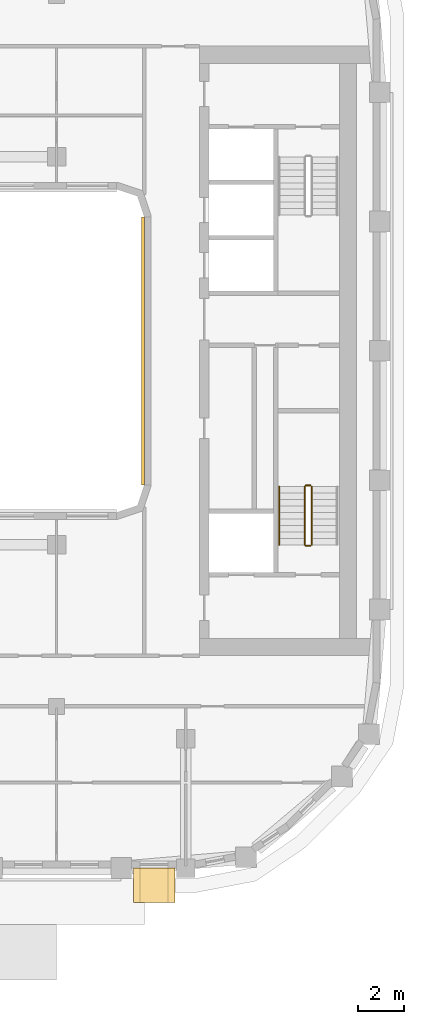
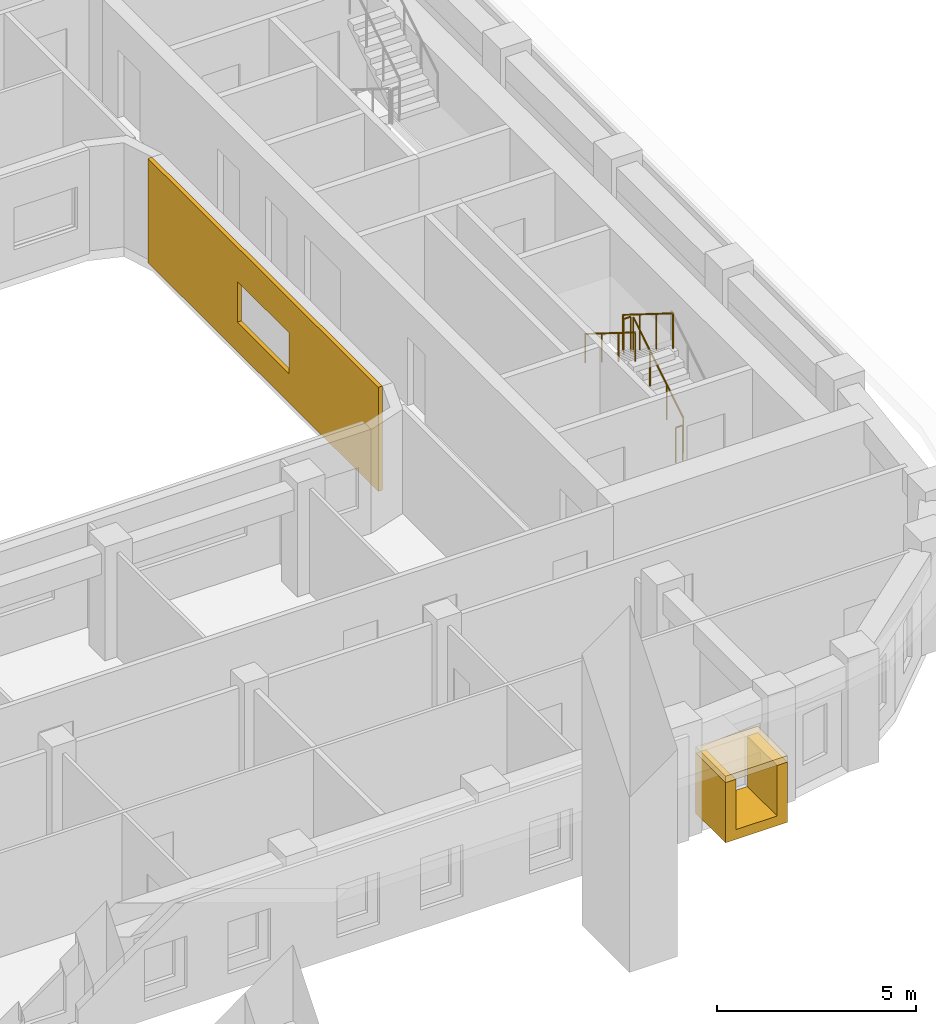
# One storey, part 13 of 18: 5 railings, 3 coverings.
"""IFC4 building model written with IfcOpenShell, lengths in metres."""

from ifc_helpers import new_model, si_unit, direction, frame, origin, origin_2d, place, context, subcontext, project, spatial, polyline, rectangle, circle, outline, extrude, material, layer, layer_set, type_object, element, save


model = new_model("IFC4")

# Units and contexts
model_context = context("Model", 3, precision=1e-05, world=origin(), true_north=direction((0.0, 1.0)))
body_context = subcontext(model_context, "Body", "Model", "MODEL_VIEW")
ifc_project = project(units=[si_unit("LENGTHUNIT", "METRE"), si_unit("AREAUNIT", "SQUARE_METRE"), si_unit("VOLUMEUNIT", "CUBIC_METRE"), si_unit("PLANEANGLEUNIT", "RADIAN"), si_unit("MASSUNIT", "GRAM", prefix="KILO")], contexts=[model_context])

# Site, building, storey
site_placement = place(None, origin())
site = spatial("IfcSite", under=ifc_project, at=site_placement, CompositionType="ELEMENT")
building_placement = place(site_placement, origin())
building = spatial("IfcBuilding", under=site, at=building_placement, Name="Kiln Ring Residences", CompositionType="ELEMENT")
storey_placement = place(building_placement, frame((0.0, 0.0, 209.89990234375)))
storey = spatial("IfcBuildingStorey", under=building, at=storey_placement, Name="L54", CompositionType="ELEMENT", Elevation=209.89990234375)

# Railings
ifc_material_1 = material(Name="Stainless steel", Category="steel")
railing_type_1 = type_object("IfcRailingType", Name="CORE-STAIR-GUARD", PredefinedType="GUARDRAIL", material=ifc_material_1)
railing_1_placement = place(storey_placement, frame((22.25, -8.39990234375, 0.175048828125)))
element("IfcRailing", 1, at=railing_1_placement, inside=storey, type_object=railing_type_1, Name="L54 E-STS stair guard 1", PredefinedType="GUARDRAIL", context=body_context, shape_type="SweptSolid", body=[
    extrude(circle(Radius=0.02392578125, at=origin_2d()), frame((0.0, 0.0, 1.076171875), z_axis=(0.0, 0.848007534815, 0.529984170421), x_axis=(-1.0, 0.0, 0.0)), (0.0, 0.0, 1.0), 2.9716796875),
    extrude(circle(Radius=0.02099609375, at=origin_2d()), origin(), (0.0, 0.0, 1.0), 1.052001953125),
    extrude(circle(Radius=0.02099609375, at=origin_2d()), frame((0.0, 0.840087890625, 0.52490234375)), (0.0, 0.0, 1.0), 1.052001953125),
    extrude(circle(Radius=0.02099609375, at=origin_2d()), frame((0.0, 1.679931640625, 1.050048828125)), (0.0, 0.0, 1.0), 1.052001953125),
    extrude(circle(Radius=0.02099609375, at=origin_2d()), frame((0.0, 2.52001953125, 1.574951171875)), (0.0, 0.0, 1.0), 1.052001953125),
])
railing_2_placement = place(storey_placement, frame((22.199951171875, -5.830078125, 1.75)))
element("IfcRailing", 2, at=railing_2_placement, inside=storey, type_object=railing_type_1, Name="L54 E-STS stair guard 2", PredefinedType="GUARDRAIL", context=body_context, shape_type="SweptSolid", body=[
    extrude(circle(Radius=0.02392578125, at=origin_2d()), frame((0.0, 0.0, 1.076171875), z_axis=(-1.0, 0.0, 0.0), x_axis=(0.0, -1.0, 0.0)), (0.0, 0.0, 1.0), 0.199951171875),
    extrude(circle(Radius=0.02099609375, at=origin_2d()), origin(), (0.0, 0.0, 1.0), 1.052001953125),
    extrude(circle(Radius=0.02099609375, at=origin_2d()), frame((-0.199951171875, 0.0, 0.0)), (0.0, 0.0, 1.0), 1.052001953125),
])
railing_3_placement = place(storey_placement, frame((21.949951171875, -5.8798828125, 1.925048828125)))
element("IfcRailing", 3, at=railing_3_placement, inside=storey, type_object=railing_type_1, Name="L54 E-STS stair guard 3", PredefinedType="GUARDRAIL", context=body_context, shape_type="SweptSolid", body=[
    extrude(circle(Radius=0.02392578125, at=origin_2d()), frame((0.0, 0.0, 1.076171875), z_axis=(0.0, -0.848007534815, 0.529984170421), x_axis=(1.0, 0.0, 0.0)), (0.0, 0.0, 1.0), 2.9716796875),
    extrude(circle(Radius=0.02099609375, at=origin_2d()), origin(), (0.0, 0.0, 1.0), 1.052001953125),
    extrude(circle(Radius=0.02099609375, at=origin_2d()), frame((0.0, -0.840087890625, 0.52490234375)), (0.0, 0.0, 1.0), 1.052001953125),
    extrude(circle(Radius=0.02099609375, at=origin_2d()), frame((0.0, -1.679931640625, 1.050048828125)), (0.0, 0.0, 1.0), 1.052001953125),
    extrude(circle(Radius=0.02099609375, at=origin_2d()), frame((0.0, -2.52001953125, 1.574951171875)), (0.0, 0.0, 1.0), 1.052001953125),
])
railing_4_placement = place(storey_placement, frame((22.199951171875, -8.449951171875, 0.0)))
element("IfcRailing", 4, at=railing_4_placement, inside=storey, type_object=railing_type_1, Name="L54 E-STS stair guard 4", PredefinedType="GUARDRAIL", context=body_context, shape_type="SweptSolid", body=[
    extrude(circle(Radius=0.02392578125, at=origin_2d()), frame((0.0, 0.0, 1.076171875), z_axis=(-1.0, 0.0, 0.0), x_axis=(0.0, -1.0, 0.0)), (0.0, 0.0, 1.0), 0.199951171875),
    extrude(circle(Radius=0.02099609375, at=origin_2d()), origin(), (0.0, 0.0, 1.0), 1.052001953125),
    extrude(circle(Radius=0.02099609375, at=origin_2d()), frame((-0.199951171875, 0.0, 0.0)), (0.0, 0.0, 1.0), 1.052001953125),
])
ifc_material_2 = material(Name="Stainless steel", Category="steel")
railing_type_2 = type_object("IfcRailingType", Name="CORE-STAIR-HANDRAIL", PredefinedType="HANDRAIL", material=ifc_material_2)
railing_5_placement = place(storey_placement, frame((20.85009765625, -5.8798828125, 1.925048828125)))
element("IfcRailing", 5, at=railing_5_placement, inside=storey, type_object=railing_type_2, Name="L54 E-STS stair handrail 2", PredefinedType="HANDRAIL", context=body_context, shape_type="SweptSolid", body=[
    extrude(circle(Radius=0.02392578125, at=origin_2d()), frame((0.0, 0.0, 0.8759765625), z_axis=(0.0, -0.848007534815, 0.529984170421), x_axis=(1.0, 0.0, 0.0)), (0.0, 0.0, 1.0), 2.9716796875),
    extrude(circle(Radius=0.02099609375, at=origin_2d()), origin(), (0.0, 0.0, 1.0), 0.851806640625),
    extrude(circle(Radius=0.02099609375, at=origin_2d()), frame((0.0, -0.840087890625, 0.52490234375)), (0.0, 0.0, 1.0), 0.851806640625),
    extrude(circle(Radius=0.02099609375, at=origin_2d()), frame((0.0, -1.679931640625, 1.050048828125)), (0.0, 0.0, 1.0), 0.851806640625),
    extrude(circle(Radius=0.02099609375, at=origin_2d()), frame((0.0, -2.52001953125, 1.574951171875)), (0.0, 0.0, 1.0), 0.851806640625),
])

# Coverings
ifc_material_3 = material(Name="Brick masonry, dark clay brick", Category="masonry")
ifc_layer_1 = layer(ifc_material_3, 0.300048828125)
ifc_layer_set_1 = layer_set([ifc_layer_1], Name="FRAME CHEEKS AND SILL 1500")
covering_type_1 = type_object("IfcCoveringType", Name="FRAME CHEEKS AND SILL 1500", PredefinedType="CLADDING", material=ifc_layer_set_1)
covering_1_placement = place(storey_placement, frame((14.52490234375, -23.14990234375, 0.300048828125), z_axis=(0.0, 0.0, 1.0), x_axis=(1.0, 0.0, 0.0)))
element("IfcCovering", 6, at=covering_1_placement, inside=storey, type_object=covering_type_1, Name="FRAME L54", PredefinedType="CLADDING", context=body_context, shape_type="SweptSolid", body=[
    extrude(outline(polyline([(0.0, 0.0), (1.800048828125, 0.0), (1.800048828125, 1.85009765625), (1.5009765625, 1.85009765625), (1.5, 0.300048828125), (0.300048828125, 0.300048828125), (0.299072265625, 1.85009765625), (0.0, 1.85009765625), (0.0, 0.0)])), frame((0.0, 0.75, 0.0), z_axis=(0.0, -1.0, 0.0), x_axis=(1.0, 0.0, 0.0)), (0.0, 0.0, 1.0), 1.5),
])
ifc_material_4 = material(Name="Brick masonry, dark clay brick", Category="masonry")
ifc_layer_2 = layer(ifc_material_4, 0.199951171875)
ifc_layer_set_2 = layer_set([ifc_layer_2], Name="FRAME HEAD 1500")
covering_type_2 = type_object("IfcCoveringType", Name="FRAME HEAD 1500", PredefinedType="CLADDING", material=ifc_layer_set_2)
covering_2_placement = place(storey_placement, frame((15.425048828125, -23.14990234375, 2.14990234375), z_axis=(0.0, 0.0, 1.0), x_axis=(1.0, 0.0, 0.0)))
element("IfcCovering", 7, at=covering_2_placement, inside=storey, type_object=covering_type_2, Name="FRAME HEAD L54", PredefinedType="CLADDING", context=body_context, shape_type="SweptSolid", body=[
    extrude(rectangle(XDim=1.800048828125, YDim=1.5, at=origin_2d()), origin(), (0.0, 0.0, 1.0), 0.199951171875),
])
ifc_material_5 = material(Name="Brick masonry, dark clay brick", Category="masonry")
ifc_layer_3 = layer(ifc_material_5, 0.1201171875)
ifc_layer_set_3 = layer_set([ifc_layer_3], Name="RAINSCREEN PANEL 120")
covering_type_3 = type_object("IfcCoveringType", Name="RAINSCREEN PANEL 120", PredefinedType="CLADDING", material=ifc_layer_set_3)
covering_3_placement = place(storey_placement, frame((14.93994140625, 5.800048828125, 0.0), z_axis=(0.0, 0.0, 1.0), x_axis=(0.0, -1.0, 0.0)))
element("IfcCovering", 8, at=covering_3_placement, inside=storey, type_object=covering_type_3, Name="RAINSCREEN L54", PredefinedType="CLADDING", context=body_context, shape_type="SweptSolid", body=[
    extrude(outline(polyline([(0.0, 0.0), (11.60009765625, 0.0), (11.60009765625, 3.2001953125), (0.0, 3.2001953125), (0.0, 0.0)]), holes=[polyline([(4.5, 2.150146484375), (4.5, 0.900146484375), (7.10009765625, 0.900146484375), (7.10009765625, 2.150146484375), (4.5, 2.150146484375)])]), frame((0.0, 0.06005859375, 0.0), z_axis=(0.0, -1.0, 0.0), x_axis=(1.0, 0.0, 0.0)), (0.0, 0.0, 1.0), 0.1201171875),
])

save(model, "model.ifc")
